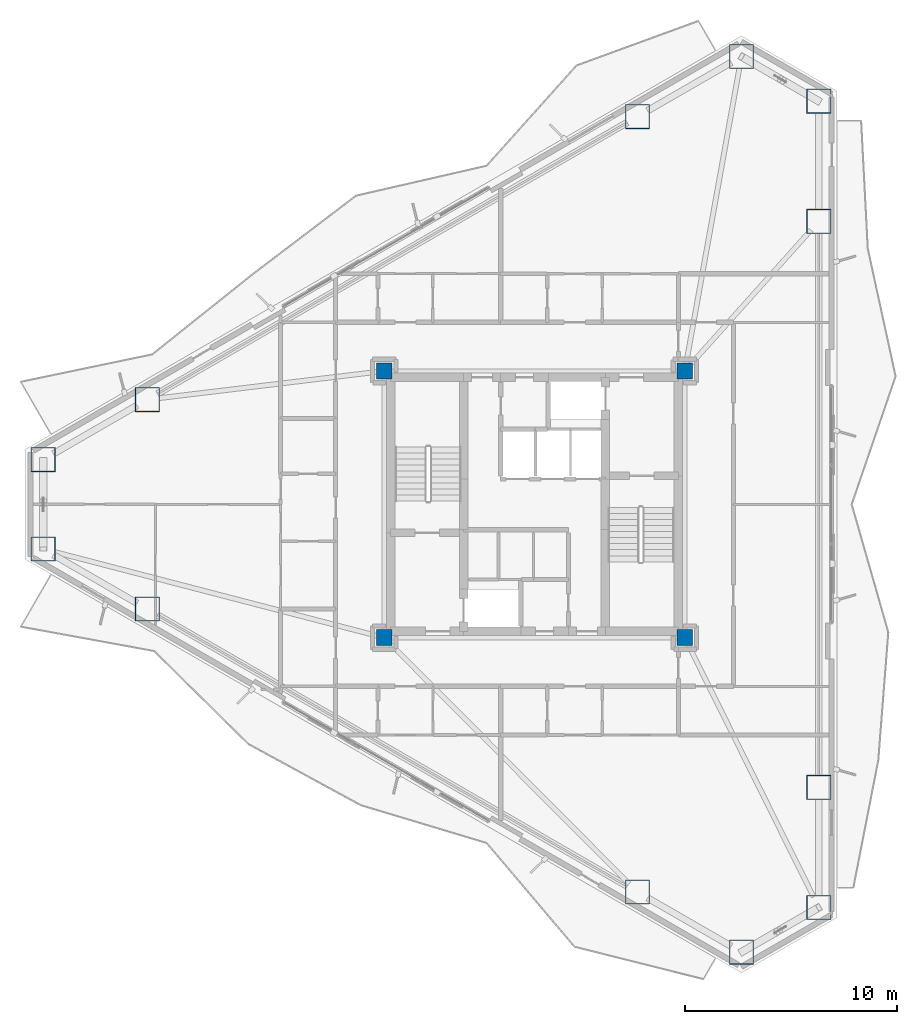
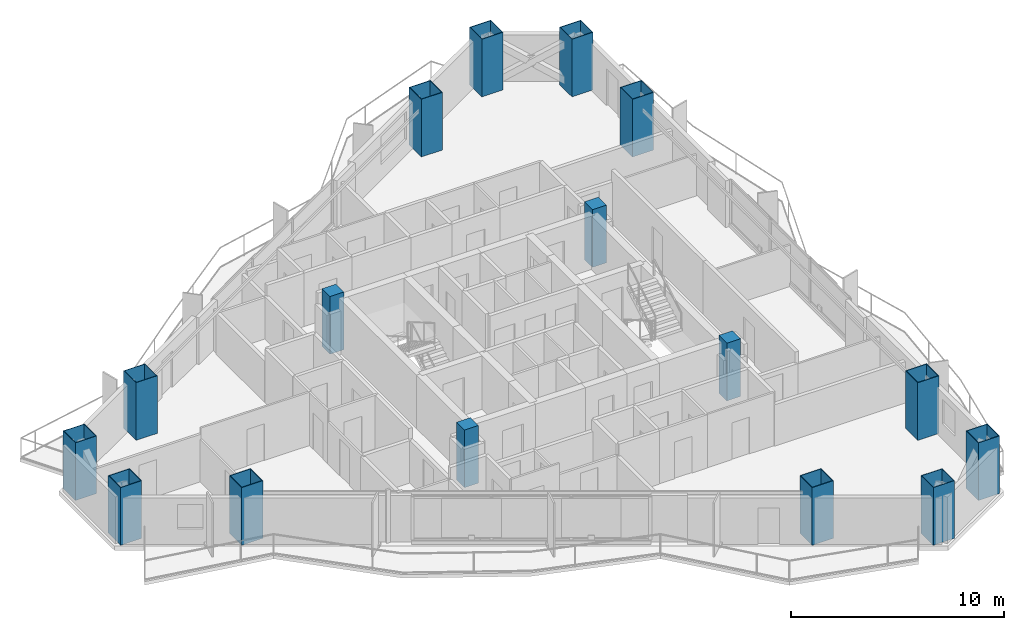
# One storey, part 1 of 23: 16 columns.
"""IFC4 building model written with IfcOpenShell, lengths in metres."""

from ifc_helpers import new_model, si_unit, direction, frame, origin, origin_2d, place, context, subcontext, project, spatial, rectangle, hollow_rectangle, extrude, material, material_profile, profile_set, type_object, element, save


model = new_model("IFC4")

# Units and contexts
model_context = context("Model", 3, precision=1e-05, world=origin(), true_north=direction((0.0, 1.0)))
body_context = subcontext(model_context, "Body", "Model", "MODEL_VIEW")
ifc_project = project(units=[si_unit("LENGTHUNIT", "METRE"), si_unit("AREAUNIT", "SQUARE_METRE"), si_unit("VOLUMEUNIT", "CUBIC_METRE"), si_unit("PLANEANGLEUNIT", "RADIAN"), si_unit("MASSUNIT", "GRAM", prefix="KILO")], contexts=[model_context])

# Site, building, storey
site_placement = place(None, origin())
site = spatial("IfcSite", under=ifc_project, at=site_placement, CompositionType="ELEMENT")
building_placement = place(site_placement, origin())
building = spatial("IfcBuilding", under=site, at=building_placement, Name="Mersakhor Tower and Convention Hall", CompositionType="ELEMENT")
storey_placement = place(building_placement, frame((0.0, 0.0, 96.60009765625)))
storey = spatial("IfcBuildingStorey", under=building, at=storey_placement, Name="L26", CompositionType="ELEMENT", Elevation=96.60009765625)

# Columns
ifc_material_1 = material(Name="Concrete C60/75 in S460M steel box", Category="concrete")
ifc_material_profile_1 = material_profile(ifc_material_1, hollow_rectangle(XDim=1.14990234375, YDim=1.14990234375, WallThickness=0.031982421875, at=origin_2d()), Name="SHS 1150x1150x32")
ifc_profile_set_1 = profile_set([ifc_material_profile_1], Name="Concrete C60/75 in S460M steel box")
column_type_1 = type_object("IfcColumnType", Name="COL-CFT-1150", PredefinedType="COLUMN", material=ifc_profile_set_1)
for number, where, z_axis, x_axis, name in (
    (1, (5.78662109375, 28.86083984375, 0.0), (0.0, 0.0, 1.0), (1.0, 0.0, 0.0), "L26 Perimeter Mega-Column MC-01"),
    (2, (10.702392578125, 31.698974609375, 0.0), (0.0, 0.0, 1.0), (1.0, 0.0, 0.0), "L26 Perimeter Mega-Column MC-02"),
    (3, (33.86279296875, 45.070556640625, 0.0), (0.0, 0.0, 1.0), (1.0, 0.0, 0.0), "L26 Perimeter Mega-Column MC-03"),
    (4, (38.77880859375, 47.90869140625, 0.0), (0.0, 0.0, 1.0), (1.0, 0.0, 0.0), "L26 Perimeter Mega-Column MC-04"),
    (5, (42.4345703125, 45.798095703125, 0.0), (0.0, 0.0, 1.0), (1.0, 0.0, 0.0), "L26 Perimeter Mega-Column MC-05"),
    (6, (42.4345703125, 40.12158203125, 0.0), (0.0, 0.0, 1.0), (1.0, 0.0, 0.0), "L26 Perimeter Mega-Column MC-06"),
    (7, (42.4345703125, 13.37841796875, 0.0), (0.0, 0.0, 1.0), (1.0, 0.0, 0.0), "L26 Perimeter Mega-Column MC-07"),
    (8, (42.4345703125, 7.701904296875, 0.0), (0.0, 0.0, 1.0), (1.0, 0.0, 0.0), "L26 Perimeter Mega-Column MC-08"),
    (9, (38.77880859375, 5.59130859375, 0.0), (0.0, 0.0, 1.0), (1.0, 0.0, 0.0), "L26 Perimeter Mega-Column MC-09"),
    (10, (33.86279296875, 8.429443359375, 0.0), (0.0, 0.0, 1.0), (1.0, 0.0, 0.0), "L26 Perimeter Mega-Column MC-10"),
    (11, (10.702392578125, 21.801025390625, 0.0), (0.0, 0.0, 1.0), (1.0, 0.0, 0.0), "L26 Perimeter Mega-Column MC-11"),
    (12, (5.78662109375, 24.63916015625, 0.0), (0.0, 0.0, 1.0), (1.0, 0.0, 0.0), "L26 Perimeter Mega-Column MC-12"),
):
    element("IfcColumn", number, at=place(storey_placement, frame(where, z_axis=z_axis, x_axis=x_axis)), inside=storey, type_object=column_type_1, Name=name, PredefinedType="COLUMN", context=body_context, shape_type="SweptSolid", body=[
        extrude(hollow_rectangle(XDim=1.14990234375, YDim=1.14990234375, WallThickness=0.031982421875, at=origin_2d()), origin(), (0.0, 0.0, 1.0), 3.2998046875),
    ])
ifc_material_2 = material(Name="Concrete C50/60", Category="concrete")
ifc_material_profile_2 = material_profile(ifc_material_2, rectangle(XDim=0.75, YDim=0.75, at=origin_2d()), Name="RC 750x750")
ifc_profile_set_2 = profile_set([ifc_material_profile_2], Name="Concrete C50/60")
column_type_2 = type_object("IfcColumnType", Name="COL-RC-750", PredefinedType="COLUMN", material=ifc_profile_set_2)
for number, where, z_axis, x_axis, name in (
    (13, (21.89990234375, 20.449951171875, 0.0), (0.0, 0.0, 1.0), (1.0, 0.0, 0.0), "L26 Core Corner Column CC-1"),
    (14, (21.89990234375, 33.050048828125, 0.0), (0.0, 0.0, 1.0), (1.0, 0.0, 0.0), "L26 Core Corner Column CC-2"),
    (15, (36.10009765625, 33.050048828125, 0.0), (0.0, 0.0, 1.0), (1.0, 0.0, 0.0), "L26 Core Corner Column CC-3"),
    (16, (36.10009765625, 20.449951171875, 0.0), (0.0, 0.0, 1.0), (1.0, 0.0, 0.0), "L26 Core Corner Column CC-4"),
):
    element("IfcColumn", number, at=place(storey_placement, frame(where, z_axis=z_axis, x_axis=x_axis)), inside=storey, type_object=column_type_2, Name=name, PredefinedType="COLUMN", context=body_context, shape_type="SweptSolid", body=[
        extrude(rectangle(XDim=0.75, YDim=0.75, at=origin_2d()), origin(), (0.0, 0.0, 1.0), 3.2998046875),
    ])

save(model, "model.ifc")
